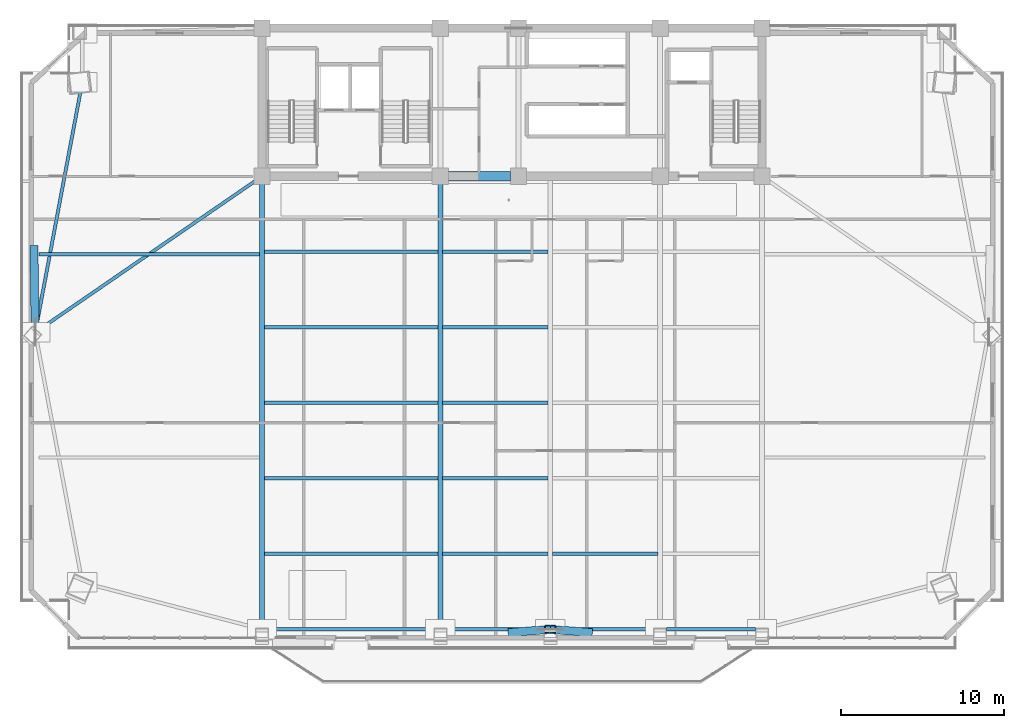
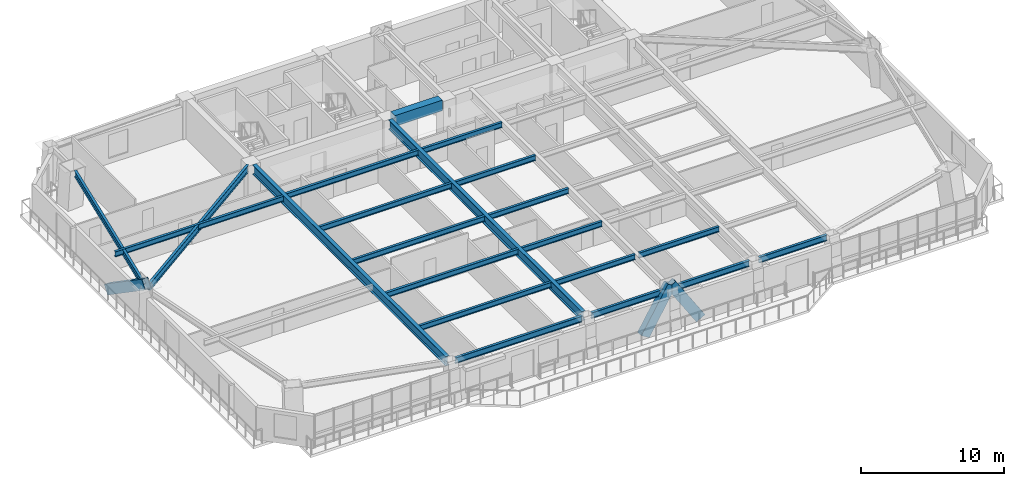
# One storey, part 3 of 16: 21 beams, 3 members.
"""IFC4 building model written with IfcOpenShell, lengths in metres."""

from ifc_helpers import new_model, si_unit, direction, frame, origin, origin_2d, place, context, subcontext, project, spatial, rectangle, hollow_rectangle, i_section, extrude, source, transform, mapped, material, material_profile, profile_set, type_object, element, save


model = new_model("IFC4")

# Units and contexts
model_context = context("Model", 3, precision=1e-05, world=origin(), true_north=direction((0.0, 1.0)))
body_context = subcontext(model_context, "Body", "Model", "MODEL_VIEW")
ifc_project = project(units=[si_unit("LENGTHUNIT", "METRE"), si_unit("AREAUNIT", "SQUARE_METRE"), si_unit("VOLUMEUNIT", "CUBIC_METRE"), si_unit("PLANEANGLEUNIT", "RADIAN"), si_unit("MASSUNIT", "GRAM", prefix="KILO")], contexts=[model_context])

# Site, building, storey
site_placement = place(None, origin())
site = spatial("IfcSite", under=ifc_project, at=site_placement, CompositionType="ELEMENT")
building_placement = place(site_placement, origin())
building = spatial("IfcBuilding", under=site, at=building_placement, Name="Giltprow Tower", CompositionType="ELEMENT")
storey_placement = place(building_placement, frame((0.0, 0.0, 166.699951171875)))
storey = spatial("IfcBuildingStorey", under=building, at=storey_placement, Name="L41", CompositionType="ELEMENT", Elevation=166.699951171875)

# Beams
ifc_material_1 = material(Name="Structural steel Q355B", Category="steel")
ifc_material_profile_1 = material_profile(ifc_material_1, i_section(OverallWidth=0.199951171875, OverallDepth=0.449951171875, WebThickness=0.009033203125, FlangeThickness=0.013916015625, at=origin_2d()), Name="HN 450x200x9x14")
ifc_profile_set_1 = profile_set([ifc_material_profile_1], Name="Structural steel Q355B")
beam_type_1 = type_object("IfcBeamType", Name="BM-JOIST-HN450", PredefinedType="JOIST", material=ifc_profile_set_1)
shared_shape_1 = source(origin(), body_context, "Body", "SweptSolid", [
    extrude(i_section(OverallWidth=0.199951171875, OverallDepth=0.449951171875, WebThickness=0.009033203125, FlangeThickness=0.013916015625, at=origin_2d()), origin(), (0.0, 0.0, 1.0), 10.659912109375),
])
for number, where, z_axis, x_axis, name in (
    (1, (19.9951171875, 14.262939453125, 3.045166015625), (1.0, 0.0, 0.0), (0.0, 1.0, 0.0), "L41 Composite Floor Joist 1-1"),
    (2, (19.9951171875, 18.90087890625, 3.045166015625), (1.0, 0.0, 0.0), (0.0, 1.0, 0.0), "L41 Composite Floor Joist 2-1"),
    (3, (19.9951171875, 23.5380859375, 3.045166015625), (1.0, 0.0, 0.0), (0.0, 1.0, 0.0), "L41 Composite Floor Joist 3-1"),
    (4, (19.9951171875, 28.175048828125, 3.045166015625), (1.0, 0.0, 0.0), (0.0, 1.0, 0.0), "L41 Composite Floor Joist 4-1"),
    (5, (19.9951171875, 32.81298828125, 3.045166015625), (1.0, 0.0, 0.0), (0.0, 1.0, 0.0), "L41 Composite Floor Joist 5-1"),
):
    element("IfcBeam", number, at=place(storey_placement, frame(where, z_axis=z_axis, x_axis=x_axis)), inside=storey, type_object=beam_type_1, Name=name, PredefinedType="JOIST", context=body_context, shape_type="MappedRepresentation", body=[
        mapped(shared_shape_1, transform((0.0, 0.0, 0.0), x_axis=(1.0, 0.0, 0.0), y_axis=(0.0, 1.0, 0.0), z_axis=(0.0, 0.0, 1.0), scale=1.0)),
    ])
shared_shape_2 = source(origin(), body_context, "Body", "SweptSolid", [
    extrude(i_section(OverallWidth=0.199951171875, OverallDepth=0.449951171875, WebThickness=0.009033203125, FlangeThickness=0.013916015625, at=origin_2d()), origin(), (0.0, 0.0, 1.0), 6.4599609375),
])
for number, where, z_axis, x_axis, name in (
    (6, (30.945068359375, 14.262939453125, 3.045166015625), (1.0, 0.0, 0.0), (0.0, 1.0, 0.0), "L41 Composite Floor Joist 1-2"),
    (7, (37.695068359375, 14.262939453125, 3.045166015625), (1.0, 0.0, 0.0), (0.0, 1.0, 0.0), "L41 Composite Floor Joist 1-3"),
    (8, (30.945068359375, 18.90087890625, 3.045166015625), (1.0, 0.0, 0.0), (0.0, 1.0, 0.0), "L41 Composite Floor Joist 2-2"),
    (9, (30.945068359375, 23.5380859375, 3.045166015625), (1.0, 0.0, 0.0), (0.0, 1.0, 0.0), "L41 Composite Floor Joist 3-2"),
    (10, (30.945068359375, 28.175048828125, 3.045166015625), (1.0, 0.0, 0.0), (0.0, 1.0, 0.0), "L41 Composite Floor Joist 4-2"),
    (11, (30.945068359375, 32.81298828125, 3.045166015625), (1.0, 0.0, 0.0), (0.0, 1.0, 0.0), "L41 Composite Floor Joist 5-2"),
):
    element("IfcBeam", number, at=place(storey_placement, frame(where, z_axis=z_axis, x_axis=x_axis)), inside=storey, type_object=beam_type_1, Name=name, PredefinedType="JOIST", context=body_context, shape_type="MappedRepresentation", body=[
        mapped(shared_shape_2, transform((0.0, 0.0, 0.0), x_axis=(1.0, 0.0, 0.0), y_axis=(0.0, 1.0, 0.0), z_axis=(0.0, 0.0, 1.0), scale=1.0)),
    ])
ifc_material_profile_2 = material_profile(ifc_material_1, i_section(OverallWidth=0.199951171875, OverallDepth=0.5, WebThickness=0.010009765625, FlangeThickness=0.01611328125, at=origin_2d()), Name="HN 500x200x10x16")
ifc_profile_set_2 = profile_set([ifc_material_profile_2], Name="Structural steel Q355B")
beam_type_2 = type_object("IfcBeamType", Name="BM-SPAN-HN500", PredefinedType="SPANDREL", material=ifc_profile_set_2)
shared_shape_3 = source(origin(), body_context, "Body", "SweptSolid", [
    extrude(i_section(OverallWidth=0.199951171875, OverallDepth=0.5, WebThickness=0.010009765625, FlangeThickness=0.01611328125, at=origin_2d()), origin(), (0.0, 0.0, 1.0), 10.179931640625),
])
beam_1_placement = place(storey_placement, frame((20.235107421875, 9.6259765625, 3.02001953125), z_axis=(1.0, 0.0, 0.0), x_axis=(0.0, 1.0, 0.0)))
element("IfcBeam", 12, at=beam_1_placement, inside=storey, type_object=beam_type_2, Name="L41 Perimeter Spandrel Beam S1-S2", PredefinedType="SPANDREL", context=body_context, shape_type="MappedRepresentation", body=[
    mapped(shared_shape_3, transform((0.0, 0.0, 0.0), x_axis=(1.0, 0.0, 0.0), y_axis=(0.0, 1.0, 0.0), z_axis=(0.0, 0.0, 1.0), scale=1.0)),
])
shared_shape_4 = source(origin(), body_context, "Body", "SweptSolid", [
    extrude(i_section(OverallWidth=0.199951171875, OverallDepth=0.5, WebThickness=0.010009765625, FlangeThickness=0.01611328125, at=origin_2d()), origin(), (0.0, 0.0, 1.0), 5.97998046875),
])
for number, where, z_axis, x_axis, name in (
    (13, (31.18505859375, 9.6259765625, 3.02001953125), (1.0, 0.0, 0.0), (0.0, 1.0, 0.0), "L41 Perimeter Spandrel Beam S2-S_MID"),
    (14, (37.93505859375, 9.6259765625, 3.02001953125), (1.0, 0.0, 0.0), (0.0, 1.0, 0.0), "L41 Perimeter Spandrel Beam S_MID-S3"),
):
    element("IfcBeam", number, at=place(storey_placement, frame(where, z_axis=z_axis, x_axis=x_axis)), inside=storey, type_object=beam_type_2, Name=name, PredefinedType="SPANDREL", context=body_context, shape_type="MappedRepresentation", body=[
        mapped(shared_shape_4, transform((0.0, 0.0, 0.0), x_axis=(1.0, 0.0, 0.0), y_axis=(0.0, 1.0, 0.0), z_axis=(0.0, 0.0, 1.0), scale=1.0)),
    ])
shared_shape_5 = source(origin(), body_context, "Body", "SweptSolid", [
    extrude(i_section(OverallWidth=0.199951171875, OverallDepth=0.5, WebThickness=0.010009765625, FlangeThickness=0.01611328125, at=origin_2d()), origin(), (0.0, 0.0, 1.0), 5.47998046875),
])
beam_2_placement = place(storey_placement, frame((44.68505859375, 9.6259765625, 3.02001953125), z_axis=(1.0, 0.0, 0.0), x_axis=(0.0, 1.0, 0.0)))
element("IfcBeam", 15, at=beam_2_placement, inside=storey, type_object=beam_type_2, Name="L41 Perimeter Spandrel Beam S3-S4", PredefinedType="SPANDREL", context=body_context, shape_type="MappedRepresentation", body=[
    mapped(shared_shape_5, transform((0.0, 0.0, 0.0), x_axis=(1.0, 0.0, 0.0), y_axis=(0.0, 1.0, 0.0), z_axis=(0.0, 0.0, 1.0), scale=1.0)),
])
ifc_material_2 = material(Name="Concrete C50", Category="concrete")
ifc_material_profile_3 = material_profile(ifc_material_2, rectangle(XDim=0.60009765625, YDim=0.89990234375, at=origin_2d()), Name="RC 900x600")
ifc_profile_set_3 = profile_set([ifc_material_profile_3], Name="Concrete C50")
beam_type_3 = type_object("IfcBeamType", Name="BM-CPL-RC900", PredefinedType="LINTEL", material=ifc_profile_set_3)
shared_shape_6 = source(origin(), body_context, "Body", "SweptSolid", [
    extrude(rectangle(XDim=0.60009765625, YDim=0.89990234375, at=origin_2d()), origin(), (0.0, 0.0, 1.0), 3.830078125),
])
beam_3_placement = place(storey_placement, frame((31.284912109375, 37.449951171875, 2.820068359375), z_axis=(1.0, 0.0, 0.0), x_axis=(0.0, 1.0, 0.0)))
element("IfcBeam", 16, at=beam_3_placement, inside=storey, type_object=beam_type_3, Name="L41 Core Coupling Beam CB-1", PredefinedType="LINTEL", context=body_context, shape_type="MappedRepresentation", body=[
    mapped(shared_shape_6, transform((0.0, 0.0, 0.0), x_axis=(1.0, 0.0, 0.0), y_axis=(0.0, 1.0, 0.0), z_axis=(0.0, 0.0, 1.0), scale=1.0)),
])
shared_shape_7 = source(origin(), body_context, "Body", "SweptSolid", [
    extrude(i_section(OverallWidth=0.199951171875, OverallDepth=0.5, WebThickness=0.010009765625, FlangeThickness=0.01611328125, at=origin_2d()), origin(), (0.0, 0.0, 1.0), 14.599853515625),
])
beam_4_placement = place(storey_placement, frame((8.68896484375, 42.589111328125, 3.02001953125), z_axis=(-0.184863999795, -0.982764112888, 0.0), x_axis=(0.982764112888, -0.184863999795, 0.0)))
element("IfcBeam", 17, at=beam_4_placement, inside=storey, type_object=beam_type_2, Name="L41 Perimeter Spandrel Beam MC_NW-W_MID", PredefinedType="SPANDREL", context=body_context, shape_type="MappedRepresentation", body=[
    mapped(shared_shape_7, transform((0.0, 0.0, 0.0), x_axis=(1.0, 0.0, 0.0), y_axis=(0.0, 1.0, 0.0), z_axis=(0.0, 0.0, 1.0), scale=1.0)),
])
ifc_material_profile_4 = material_profile(ifc_material_1, i_section(OverallWidth=0.300048828125, OverallDepth=0.800048828125, WebThickness=0.013916015625, FlangeThickness=0.02587890625, at=origin_2d()), Name="HN 800x300x14x26")
ifc_profile_set_4 = profile_set([ifc_material_profile_4], Name="Structural steel Q355B")
beam_type_4 = type_object("IfcBeamType", Name="BM-GIRD-HN800", PredefinedType="BEAM", material=ifc_profile_set_4)
shared_shape_8 = source(origin(), body_context, "Body", "SweptSolid", [
    extrude(i_section(OverallWidth=0.300048828125, OverallDepth=0.800048828125, WebThickness=0.013916015625, FlangeThickness=0.02587890625, at=origin_2d()), origin(), (0.0, 0.0, 1.0), 26.9541015625),
])
for number, where, z_axis, x_axis, name in (
    (18, (19.85009765625, 10.010986328125, 2.8701171875), (0.0, 1.0, 0.0), (-1.0, 0.0, 0.0), "L41 Primary Lease Girder S1"),
    (19, (30.800048828125, 10.010986328125, 2.8701171875), (0.0, 1.0, 0.0), (-1.0, 0.0, 0.0), "L41 Primary Lease Girder S2"),
):
    element("IfcBeam", number, at=place(storey_placement, frame(where, z_axis=z_axis, x_axis=x_axis)), inside=storey, type_object=beam_type_4, Name=name, PredefinedType="BEAM", context=body_context, shape_type="MappedRepresentation", body=[
        mapped(shared_shape_8, transform((0.0, 0.0, 0.0), x_axis=(1.0, 0.0, 0.0), y_axis=(0.0, 1.0, 0.0), z_axis=(0.0, 0.0, 1.0), scale=1.0)),
    ])
ifc_material_profile_5 = material_profile(ifc_material_1, i_section(OverallWidth=0.199951171875, OverallDepth=0.60009765625, WebThickness=0.010986328125, FlangeThickness=0.01708984375, at=origin_2d()), Name="HN 600x200x11x17")
ifc_profile_set_5 = profile_set([ifc_material_profile_5], Name="Structural steel Q355B")
beam_type_5 = type_object("IfcBeamType", Name="BM-GIRD-HN600", PredefinedType="BEAM", material=ifc_profile_set_5)
shared_shape_9 = source(origin(), body_context, "Body", "SweptSolid", [
    extrude(i_section(OverallWidth=0.199951171875, OverallDepth=0.60009765625, WebThickness=0.010986328125, FlangeThickness=0.01708984375, at=origin_2d()), origin(), (0.0, 0.0, 1.0), 16.040771484375),
])
beam_5_placement = place(storey_placement, frame((6.236083984375, 28.0810546875, 2.969970703125), z_axis=(0.823766494519, 0.566929239419, 0.0), x_axis=(-0.566929239419, 0.823766494519, 0.0)))
element("IfcBeam", 20, at=beam_5_placement, inside=storey, type_object=beam_type_5, Name="L41 West Wing Primary Girder", PredefinedType="BEAM", context=body_context, shape_type="MappedRepresentation", body=[
    mapped(shared_shape_9, transform((0.0, 0.0, 0.0), x_axis=(1.0, 0.0, 0.0), y_axis=(0.0, 1.0, 0.0), z_axis=(0.0, 0.0, 1.0), scale=1.0)),
])
shared_shape_10 = source(origin(), body_context, "Body", "SweptSolid", [
    extrude(i_section(OverallWidth=0.199951171875, OverallDepth=0.449951171875, WebThickness=0.009033203125, FlangeThickness=0.013916015625, at=origin_2d()), origin(), (0.0, 0.0, 1.0), 13.566162109375),
])
beam_6_placement = place(storey_placement, frame((6.138916015625, 32.656982421875, 3.045166015625), z_axis=(1.0, 0.0, 0.0), x_axis=(0.0, 1.0, 0.0)))
element("IfcBeam", 21, at=beam_6_placement, inside=storey, type_object=beam_type_1, Name="L41 West Wing Floor Joist 2", PredefinedType="JOIST", context=body_context, shape_type="MappedRepresentation", body=[
    mapped(shared_shape_10, transform((0.0, 0.0, 0.0), x_axis=(1.0, 0.0, 0.0), y_axis=(0.0, 1.0, 0.0), z_axis=(0.0, 0.0, 1.0), scale=1.0)),
])

# Members
ifc_material_3 = material(Name="Structural steel Q420GJC", Category="steel")
ifc_material_profile_6 = material_profile(ifc_material_3, hollow_rectangle(XDim=0.5, YDim=0.800048828125, WallThickness=0.035888671875, at=origin_2d()), Name="RHS 800x500x36")
ifc_profile_set_6 = profile_set([ifc_material_profile_6], Name="Structural steel Q420GJC")
member_type = type_object("IfcMemberType", Name="MBR-MEGA-RHS800", PredefinedType="BRACE", material=ifc_profile_set_6)
shared_shape_11 = source(origin(), body_context, "Body", "SweptSolid", [
    extrude(hollow_rectangle(XDim=0.5, YDim=0.800048828125, WallThickness=0.035888671875, at=origin_2d()), origin(), (0.0, 0.0, 1.0), 4.16455078125),
])
for number, where, z_axis, x_axis, name in (
    (22, (35.300048828125, 9.449951171875, 0.0), (0.540274331149, 0.042267555638, 0.840426737343), (-0.077995186993, 0.996953735539, 0.0), "L41 Chevron Mega-Brace S-L"),
    (23, (39.800048828125, 9.449951171875, 0.0), (-0.540274331149, 0.042267555638, 0.840426737343), (-0.077995186993, -0.996953735539, 0.0), "L41 Chevron Mega-Brace S-R"),
):
    element("IfcMember", number, at=place(storey_placement, frame(where, z_axis=z_axis, x_axis=x_axis)), inside=storey, type_object=member_type, Name=name, PredefinedType="BRACE", context=body_context, shape_type="MappedRepresentation", body=[
        mapped(shared_shape_11, transform((0.0, 0.0, 0.0), x_axis=(1.0, 0.0, 0.0), y_axis=(0.0, 1.0, 0.0), z_axis=(0.0, 0.0, 1.0), scale=1.0)),
    ])
shared_shape_12 = source(origin(), body_context, "Body", "SweptSolid", [
    extrude(hollow_rectangle(XDim=0.5, YDim=0.800048828125, WallThickness=0.035888671875, at=origin_2d()), origin(), (0.0, 0.0, 1.0), 6.1923828125),
])
member_placement = place(storey_placement, frame((5.841064453125, 32.970947265625, 0.0), z_axis=(0.012576682732, -0.824856915749, 0.565201641534), x_axis=(0.999883783107, 0.015245336335, 0.0)))
element("IfcMember", 24, at=member_placement, inside=storey, type_object=member_type, Name="L41 Chevron Mega-Brace W-R", PredefinedType="BRACE", context=body_context, shape_type="MappedRepresentation", body=[
    mapped(shared_shape_12, transform((0.0, 0.0, 0.0), x_axis=(1.0, 0.0, 0.0), y_axis=(0.0, 1.0, 0.0), z_axis=(0.0, 0.0, 1.0), scale=1.0)),
])

save(model, "model.ifc")
